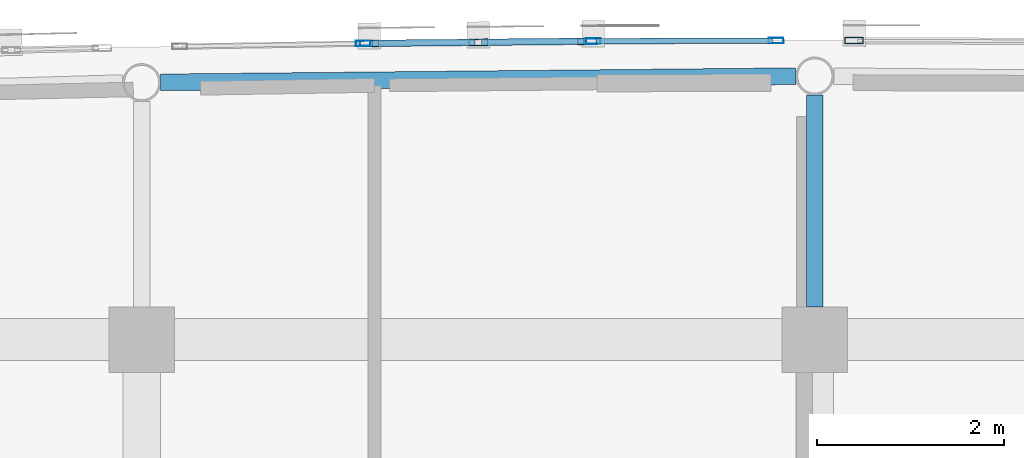
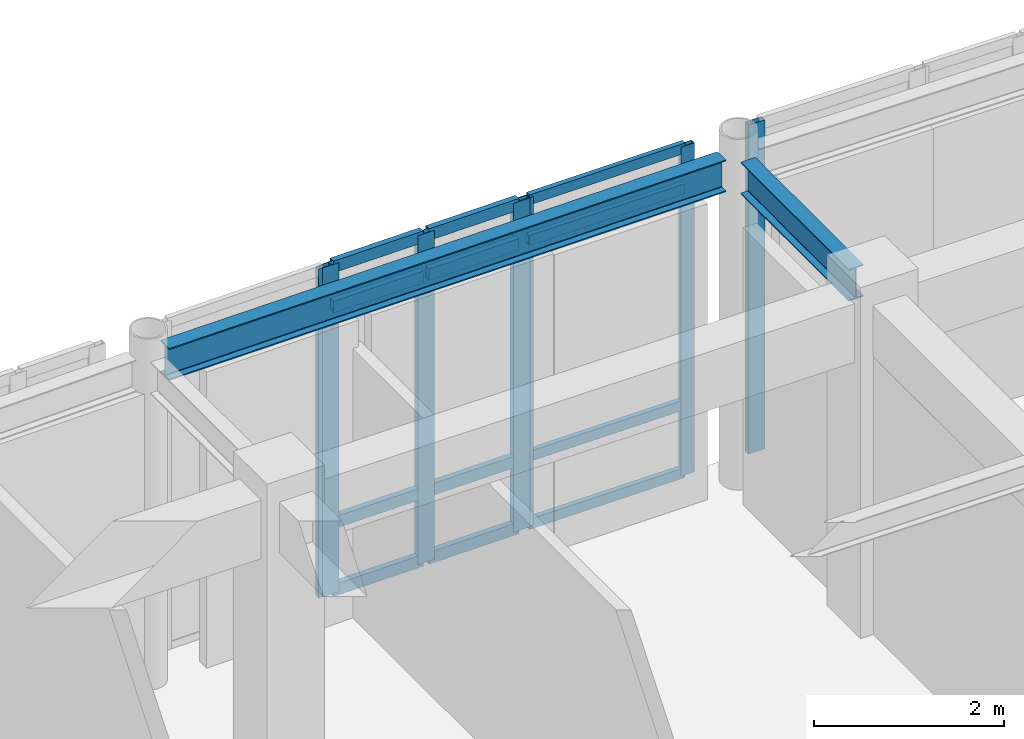
# One storey, part 38 of 106: 19 members, 2 beams, 4 elements without a shape of their own.
"""IFC4 building model written with IfcOpenShell, lengths in metres."""

from ifc_helpers import new_model, si_unit, direction, frame, origin, origin_2d, place, context, subcontext, project, spatial, hollow_rectangle, i_section, extrude, material, layer, layer_set, material_profile, profile_set, type_object, element, aggregate, save


model = new_model("IFC4")

# Units and contexts
model_context = context("Model", 3, precision=1e-05, world=origin(), true_north=direction((0.0, 1.0)))
body_context = subcontext(model_context, "Body", "Model", "MODEL_VIEW")
ifc_project = project(units=[si_unit("LENGTHUNIT", "METRE"), si_unit("AREAUNIT", "SQUARE_METRE"), si_unit("VOLUMEUNIT", "CUBIC_METRE"), si_unit("PLANEANGLEUNIT", "RADIAN"), si_unit("MASSUNIT", "GRAM", prefix="KILO")], contexts=[model_context])

# Site, building, storey
site_placement = place(None, origin())
site = spatial("IfcSite", under=ifc_project, at=site_placement, CompositionType="ELEMENT")
building_placement = place(site_placement, origin())
building = spatial("IfcBuilding", under=site, at=building_placement, Name="Carrowvane Square Congress Hotel", CompositionType="ELEMENT")
storey_placement = place(building_placement, frame((0.0, 0.0, 10.5)))
storey = spatial("IfcBuildingStorey", under=building, at=storey_placement, Name="L02", CompositionType="ELEMENT", Elevation=10.5)

# Beams
ifc_material_1 = material(Name="Steel S355", Category="steel")
ifc_material_profile_1 = material_profile(ifc_material_1, i_section(OverallWidth=0.1787109375, OverallDepth=0.409423828125, WebThickness=0.0087890625, FlangeThickness=0.014404296875, FilletRadius=0.01025390625, at=origin_2d()), Name="UKB 406x178x67")
ifc_profile_set_1 = profile_set([ifc_material_profile_1], Name="Steel S355")
beam_type = type_object("IfcBeamType", Name="BM-ST-UKB406", PredefinedType="BEAM", material=ifc_profile_set_1)
beam_1_placement = place(storey_placement, frame((91.003173828125, 116.15185546875, 4.015380859375), z_axis=(0.999952581816, 0.009738281154, 0.0), x_axis=(-0.009738281154, 0.999952581816, 0.0)))
element("IfcBeam", 1, at=beam_1_placement, inside=storey, type_object=beam_type, Name="L03 curved north spandrel", PredefinedType="BEAM", context=body_context, shape_type="SweptSolid", body=[
    extrude(i_section(OverallWidth=0.1787109375, OverallDepth=0.409423828125, WebThickness=0.0087890625, FlangeThickness=0.014404296875, FilletRadius=0.01025390625, at=origin_2d()), origin(), (0.0, 0.0, 1.0), 6.7939453125),
])
beam_2_placement = place(storey_placement, frame((98.0, 113.75, 4.015380859375), z_axis=(0.0, 1.0, 0.0), x_axis=(-1.0, 0.0, 0.0)))
element("IfcBeam", 2, at=beam_2_placement, inside=storey, type_object=beam_type, Name="L03 radial north beam 13", PredefinedType="BEAM", context=body_context, shape_type="SweptSolid", body=[
    extrude(i_section(OverallWidth=0.1787109375, OverallDepth=0.409423828125, WebThickness=0.0087890625, FlangeThickness=0.014404296875, FilletRadius=0.01025390625, at=origin_2d()), origin(), (0.0, 0.0, 1.0), 2.266845703125),
])

# Curtain wall, member
ifc_material_2 = material(Name="Anodised aluminium", Category="aluminium")
ifc_layer_1 = layer(ifc_material_2, 0.162109375)
ifc_layer_set_1 = layer_set([ifc_layer_1], Name="Anodised aluminium")
curtain_wall_type_1 = type_object("IfcCurtainWallType", Name="CW-SYS-1", PredefinedType="NOTDEFINED", material=ifc_layer_set_1)
curtain_wall_1_placement = place(storey_placement, origin())
curtain_wall_1 = element("IfcCurtainWall", 3, at=curtain_wall_1_placement, inside=storey, type_object=curtain_wall_type_1, Name="L02 unitised curtain wall 152", PredefinedType="NOTDEFINED")
ifc_material_3 = material(Name="Anodised aluminium", Category="aluminium")
ifc_material_profile_2 = material_profile(ifc_material_3, hollow_rectangle(XDim=0.06005859375, YDim=0.159912109375, WallThickness=0.00390625, at=origin_2d()), Name="CW-ML 60x160x4")
ifc_profile_set_2 = profile_set([ifc_material_profile_2], Name="Anodised aluminium")
member_type_1 = type_object("IfcMemberType", Name="CW-MUL-1", PredefinedType="MULLION", material=ifc_profile_set_2)
member_1_placement = place(storey_placement, frame((93.169921875, 116.568115234375, 0.0), z_axis=(0.0, 0.0, 1.0), x_axis=(-0.016215981364, 0.99986851233, 0.0)))
member_1 = element("IfcMember", 4, at=member_1_placement, type_object=member_type_1, Name="CW-1 mullion 2", PredefinedType="MULLION", context=body_context, shape_type="SweptSolid", body=[
    extrude(hollow_rectangle(XDim=0.06005859375, YDim=0.159912109375, WallThickness=0.00390625, at=origin_2d()), origin(), (0.0, 0.0, 1.0), 4.219970703125),
])
aggregate(curtain_wall_1, [member_1])

# Curtain wall, members
ifc_material_4 = material(Name="Anodised aluminium", Category="aluminium")
ifc_layer_2 = layer(ifc_material_4, 0.18603515625)
ifc_layer_set_2 = layer_set([ifc_layer_2], Name="Anodised aluminium")
curtain_wall_type_2 = type_object("IfcCurtainWallType", Name="CW-SYS-3", PredefinedType="NOTDEFINED", material=ifc_layer_set_2)
curtain_wall_2_placement = place(storey_placement, origin())
curtain_wall_2 = element("IfcCurtainWall", 5, at=curtain_wall_2_placement, inside=storey, type_object=curtain_wall_type_2, Name="L02 unitised curtain wall 154", PredefinedType="NOTDEFINED")
member_2_placement = place(storey_placement, frame((95.6298828125, 116.59228515625, 0.0), z_axis=(0.0, 0.0, 1.0), x_axis=(-0.003270307911, 0.999994652529, 0.0)))
member_2 = element("IfcMember", 6, at=member_2_placement, type_object=member_type_1, Name="CW-3 mullion 1", PredefinedType="MULLION", context=body_context, shape_type="SweptSolid", body=[
    extrude(hollow_rectangle(XDim=0.06005859375, YDim=0.159912109375, WallThickness=0.00390625, at=origin_2d()), origin(), (0.0, 0.0, 1.0), 4.219970703125),
])
member_3_placement = place(storey_placement, frame((97.585205078125, 116.5986328125, 0.0), z_axis=(0.0, 0.0, 1.0), x_axis=(-0.003270307911, 0.999994652529, 0.0)))
member_3 = element("IfcMember", 7, at=member_3_placement, type_object=member_type_1, Name="CW-3 mullion 2", PredefinedType="MULLION", context=body_context, shape_type="SweptSolid", body=[
    extrude(hollow_rectangle(XDim=0.06005859375, YDim=0.159912109375, WallThickness=0.00390625, at=origin_2d()), origin(), (0.0, 0.0, 1.0), 4.219970703125),
])

ifc_material_5 = material(Name="Anodised aluminium", Category="aluminium")
ifc_layer_3 = layer(ifc_material_5, 0.174072265625)
ifc_layer_set_3 = layer_set([ifc_layer_3], Name="Anodised aluminium")
curtain_wall_type_3 = type_object("IfcCurtainWallType", Name="CW-SYS-2", PredefinedType="NOTDEFINED", material=ifc_layer_set_3)
curtain_wall_3_placement = place(storey_placement, origin())
curtain_wall_3 = element("IfcCurtainWall", 8, at=curtain_wall_3_placement, inside=storey, type_object=curtain_wall_type_3, Name="L02 unitised curtain wall 153", PredefinedType="NOTDEFINED")
ifc_material_6 = material(Name="Anodised aluminium", Category="aluminium")
ifc_material_profile_3 = material_profile(ifc_material_6, hollow_rectangle(XDim=0.070068359375, YDim=0.199951171875, WallThickness=0.0048828125, at=origin_2d()), Name="CW-ML 70x200x5")
ifc_profile_set_3 = profile_set([ifc_material_profile_3], Name="Anodised aluminium")
member_type_2 = type_object("IfcMemberType", Name="CW-MUL-2", PredefinedType="MULLION", material=ifc_profile_set_3)
member_4_placement = place(storey_placement, frame((93.235107421875, 116.569091796875, 0.0), z_axis=(0.0, 0.0, 1.0), x_axis=(-0.009782905924, 0.999952146231, 0.0)))
member_4 = element("IfcMember", 9, at=member_4_placement, type_object=member_type_2, Name="CW-2 mullion 1", PredefinedType="MULLION", context=body_context, shape_type="SweptSolid", body=[
    extrude(hollow_rectangle(XDim=0.070068359375, YDim=0.199951171875, WallThickness=0.0048828125, at=origin_2d()), origin(), (0.0, 0.0, 1.0), 4.219970703125),
])
member_5_placement = place(storey_placement, frame((94.39990234375, 116.580322265625, 0.0), z_axis=(0.0, 0.0, 1.0), x_axis=(-0.009782905924, 0.999952146231, 0.0)))
member_5 = element("IfcMember", 10, at=member_5_placement, type_object=member_type_2, Name="CW-2 mullion 2", PredefinedType="MULLION", context=body_context, shape_type="SweptSolid", body=[
    extrude(hollow_rectangle(XDim=0.070068359375, YDim=0.199951171875, WallThickness=0.0048828125, at=origin_2d()), origin(), (0.0, 0.0, 1.0), 4.219970703125),
])
member_6_placement = place(storey_placement, frame((95.56494140625, 116.591796875, 0.0), z_axis=(0.0, 0.0, 1.0), x_axis=(-0.009782905924, 0.999952146231, 0.0)))
member_6 = element("IfcMember", 11, at=member_6_placement, type_object=member_type_2, Name="CW-2 mullion 3", PredefinedType="MULLION", context=body_context, shape_type="SweptSolid", body=[
    extrude(hollow_rectangle(XDim=0.070068359375, YDim=0.199951171875, WallThickness=0.0048828125, at=origin_2d()), origin(), (0.0, 0.0, 1.0), 4.219970703125),
])

# Curtain wall, member
ifc_material_7 = material(Name="Anodised aluminium", Category="aluminium")
ifc_layer_4 = layer(ifc_material_7, 0.197998046875)
ifc_layer_set_4 = layer_set([ifc_layer_4], Name="Anodised aluminium")
curtain_wall_type_4 = type_object("IfcCurtainWallType", Name="CW-SYS-4", PredefinedType="NOTDEFINED", material=ifc_layer_set_4)
curtain_wall_4_placement = place(storey_placement, origin())
curtain_wall_4 = element("IfcCurtainWall", 12, at=curtain_wall_4_placement, inside=storey, type_object=curtain_wall_type_4, Name="L02 unitised curtain wall 155", PredefinedType="NOTDEFINED")
member_7_placement = place(storey_placement, frame((98.419921875, 116.5986328125, 0.0), z_axis=(0.0, 0.0, 1.0), x_axis=(0.003270307911, 0.999994652529, 0.0)))
member_7 = element("IfcMember", 13, at=member_7_placement, type_object=member_type_2, Name="CW-4 mullion 1", PredefinedType="MULLION", context=body_context, shape_type="SweptSolid", body=[
    extrude(hollow_rectangle(XDim=0.070068359375, YDim=0.199951171875, WallThickness=0.0048828125, at=origin_2d()), origin(), (0.0, 0.0, 1.0), 4.219970703125),
])
aggregate(curtain_wall_4, [member_7])

# Member
ifc_material_8 = material(Name="Anodised aluminium", Category="aluminium")
ifc_material_profile_4 = material_profile(ifc_material_8, hollow_rectangle(XDim=0.06005859375, YDim=0.1298828125, WallThickness=0.00390625, at=origin_2d()), Name="CW-TR 60x130x4")
ifc_profile_set_4 = profile_set([ifc_material_profile_4], Name="Anodised aluminium")
member_type_3 = type_object("IfcMemberType", Name="CW-TRN-1", PredefinedType="USERDEFINED", material=ifc_profile_set_4)
member_8_placement = place(storey_placement, frame((95.659912109375, 116.59228515625, 0.030029296875), z_axis=(0.999994391408, 0.003349201878, 0.0), x_axis=(-0.003349201878, 0.999994391408, 0.0)))
member_8 = element("IfcMember", 14, at=member_8_placement, type_object=member_type_3, Name="CW-3 transom 1.1", ObjectType="TRANSOM", PredefinedType="USERDEFINED", context=body_context, shape_type="SweptSolid", body=[
    extrude(hollow_rectangle(XDim=0.06005859375, YDim=0.1298828125, WallThickness=0.00390625, at=origin_2d()), origin(), (0.0, 0.0, 1.0), 1.895263671875),
])

member_9_placement = place(storey_placement, frame((95.659912109375, 116.59228515625, 0.89990234375), z_axis=(0.999994391408, 0.003349201878, 0.0), x_axis=(-0.003349201878, 0.999994391408, 0.0)))
member_9 = element("IfcMember", 15, at=member_9_placement, type_object=member_type_3, Name="CW-3 transom 1.2", ObjectType="TRANSOM", PredefinedType="USERDEFINED", context=body_context, shape_type="SweptSolid", body=[
    extrude(hollow_rectangle(XDim=0.06005859375, YDim=0.1298828125, WallThickness=0.00390625, at=origin_2d()), origin(), (0.0, 0.0, 1.0), 1.895263671875),
])

member_10_placement = place(storey_placement, frame((95.659912109375, 116.59228515625, 3.669921875), z_axis=(0.999994391408, 0.003349201878, 0.0), x_axis=(-0.003349201878, 0.999994391408, 0.0)))
member_10 = element("IfcMember", 16, at=member_10_placement, type_object=member_type_3, Name="CW-3 transom 1.3", ObjectType="TRANSOM", PredefinedType="USERDEFINED", context=body_context, shape_type="SweptSolid", body=[
    extrude(hollow_rectangle(XDim=0.06005859375, YDim=0.1298828125, WallThickness=0.00390625, at=origin_2d()), origin(), (0.0, 0.0, 1.0), 1.895263671875),
])

member_11_placement = place(storey_placement, frame((95.659912109375, 116.59228515625, 4.18994140625), z_axis=(0.999994391408, 0.003349201878, 0.0), x_axis=(-0.003349201878, 0.999994391408, 0.0)))
member_11 = element("IfcMember", 17, at=member_11_placement, type_object=member_type_3, Name="CW-3 transom 1.4", ObjectType="TRANSOM", PredefinedType="USERDEFINED", context=body_context, shape_type="SweptSolid", body=[
    extrude(hollow_rectangle(XDim=0.06005859375, YDim=0.1298828125, WallThickness=0.00390625, at=origin_2d()), origin(), (0.0, 0.0, 1.0), 1.895263671875),
])

aggregate(curtain_wall_2, [member_2, member_3, member_8, member_9, member_10, member_11])

ifc_material_9 = material(Name="Anodised aluminium", Category="aluminium")
ifc_material_profile_5 = material_profile(ifc_material_9, hollow_rectangle(XDim=0.070068359375, YDim=0.14990234375, WallThickness=0.0048828125, at=origin_2d()), Name="CW-TR 70x150x5")
ifc_profile_set_5 = profile_set([ifc_material_profile_5], Name="Anodised aluminium")
member_type_4 = type_object("IfcMemberType", Name="CW-TRN-2", PredefinedType="USERDEFINED", material=ifc_profile_set_5)
member_12_placement = place(storey_placement, frame((93.27001953125, 116.5693359375, 0.034912109375), z_axis=(0.999951880721, 0.009810007302, 0.0), x_axis=(-0.009810007302, 0.999951880721, 0.0)))
member_12 = element("IfcMember", 18, at=member_12_placement, type_object=member_type_4, Name="CW-2 transom 1.1", ObjectType="TRANSOM", PredefinedType="USERDEFINED", context=body_context, shape_type="SweptSolid", body=[
    extrude(hollow_rectangle(XDim=0.070068359375, YDim=0.14990234375, WallThickness=0.0048828125, at=origin_2d()), origin(), (0.0, 0.0, 1.0), 1.094970703125),
])

member_13_placement = place(storey_placement, frame((93.27001953125, 116.5693359375, 0.89990234375), z_axis=(0.999951880721, 0.009810007302, 0.0), x_axis=(-0.009810007302, 0.999951880721, 0.0)))
member_13 = element("IfcMember", 19, at=member_13_placement, type_object=member_type_4, Name="CW-2 transom 1.2", ObjectType="TRANSOM", PredefinedType="USERDEFINED", context=body_context, shape_type="SweptSolid", body=[
    extrude(hollow_rectangle(XDim=0.070068359375, YDim=0.14990234375, WallThickness=0.0048828125, at=origin_2d()), origin(), (0.0, 0.0, 1.0), 1.094970703125),
])

member_14_placement = place(storey_placement, frame((93.27001953125, 116.5693359375, 3.669921875), z_axis=(0.999951880721, 0.009810007302, 0.0), x_axis=(-0.009810007302, 0.999951880721, 0.0)))
member_14 = element("IfcMember", 20, at=member_14_placement, type_object=member_type_4, Name="CW-2 transom 1.3", ObjectType="TRANSOM", PredefinedType="USERDEFINED", context=body_context, shape_type="SweptSolid", body=[
    extrude(hollow_rectangle(XDim=0.070068359375, YDim=0.14990234375, WallThickness=0.0048828125, at=origin_2d()), origin(), (0.0, 0.0, 1.0), 1.094970703125),
])

member_15_placement = place(storey_placement, frame((93.27001953125, 116.5693359375, 4.18505859375), z_axis=(0.999951880721, 0.009810007302, 0.0), x_axis=(-0.009810007302, 0.999951880721, 0.0)))
member_15 = element("IfcMember", 21, at=member_15_placement, type_object=member_type_4, Name="CW-2 transom 1.4", ObjectType="TRANSOM", PredefinedType="USERDEFINED", context=body_context, shape_type="SweptSolid", body=[
    extrude(hollow_rectangle(XDim=0.070068359375, YDim=0.14990234375, WallThickness=0.0048828125, at=origin_2d()), origin(), (0.0, 0.0, 1.0), 1.094970703125),
])

member_16_placement = place(storey_placement, frame((94.43505859375, 116.580810546875, 0.034912109375), z_axis=(0.999951880721, 0.009810007302, 0.0), x_axis=(-0.009810007302, 0.999951880721, 0.0)))
member_16 = element("IfcMember", 22, at=member_16_placement, type_object=member_type_4, Name="CW-2 transom 2.1", ObjectType="TRANSOM", PredefinedType="USERDEFINED", context=body_context, shape_type="SweptSolid", body=[
    extrude(hollow_rectangle(XDim=0.070068359375, YDim=0.14990234375, WallThickness=0.0048828125, at=origin_2d()), origin(), (0.0, 0.0, 1.0), 1.094970703125),
])

member_17_placement = place(storey_placement, frame((94.43505859375, 116.580810546875, 0.89990234375), z_axis=(0.999951880721, 0.009810007302, 0.0), x_axis=(-0.009810007302, 0.999951880721, 0.0)))
member_17 = element("IfcMember", 23, at=member_17_placement, type_object=member_type_4, Name="CW-2 transom 2.2", ObjectType="TRANSOM", PredefinedType="USERDEFINED", context=body_context, shape_type="SweptSolid", body=[
    extrude(hollow_rectangle(XDim=0.070068359375, YDim=0.14990234375, WallThickness=0.0048828125, at=origin_2d()), origin(), (0.0, 0.0, 1.0), 1.094970703125),
])

member_18_placement = place(storey_placement, frame((94.43505859375, 116.580810546875, 3.669921875), z_axis=(0.999951880721, 0.009810007302, 0.0), x_axis=(-0.009810007302, 0.999951880721, 0.0)))
member_18 = element("IfcMember", 24, at=member_18_placement, type_object=member_type_4, Name="CW-2 transom 2.3", ObjectType="TRANSOM", PredefinedType="USERDEFINED", context=body_context, shape_type="SweptSolid", body=[
    extrude(hollow_rectangle(XDim=0.070068359375, YDim=0.14990234375, WallThickness=0.0048828125, at=origin_2d()), origin(), (0.0, 0.0, 1.0), 1.094970703125),
])

member_19_placement = place(storey_placement, frame((94.43505859375, 116.580810546875, 4.18505859375), z_axis=(0.999951880721, 0.009810007302, 0.0), x_axis=(-0.009810007302, 0.999951880721, 0.0)))
member_19 = element("IfcMember", 25, at=member_19_placement, type_object=member_type_4, Name="CW-2 transom 2.4", ObjectType="TRANSOM", PredefinedType="USERDEFINED", context=body_context, shape_type="SweptSolid", body=[
    extrude(hollow_rectangle(XDim=0.070068359375, YDim=0.14990234375, WallThickness=0.0048828125, at=origin_2d()), origin(), (0.0, 0.0, 1.0), 1.094970703125),
])

aggregate(curtain_wall_3, [member_4, member_5, member_6, member_12, member_13, member_14, member_15, member_16, member_17, member_18, member_19])

save(model, "model.ifc")
